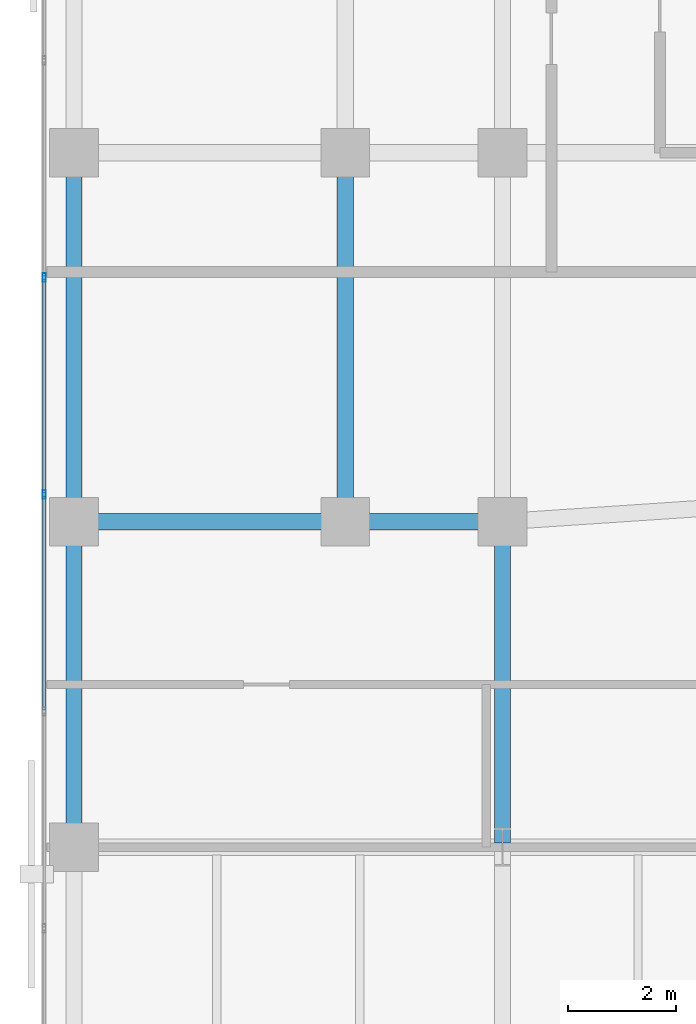
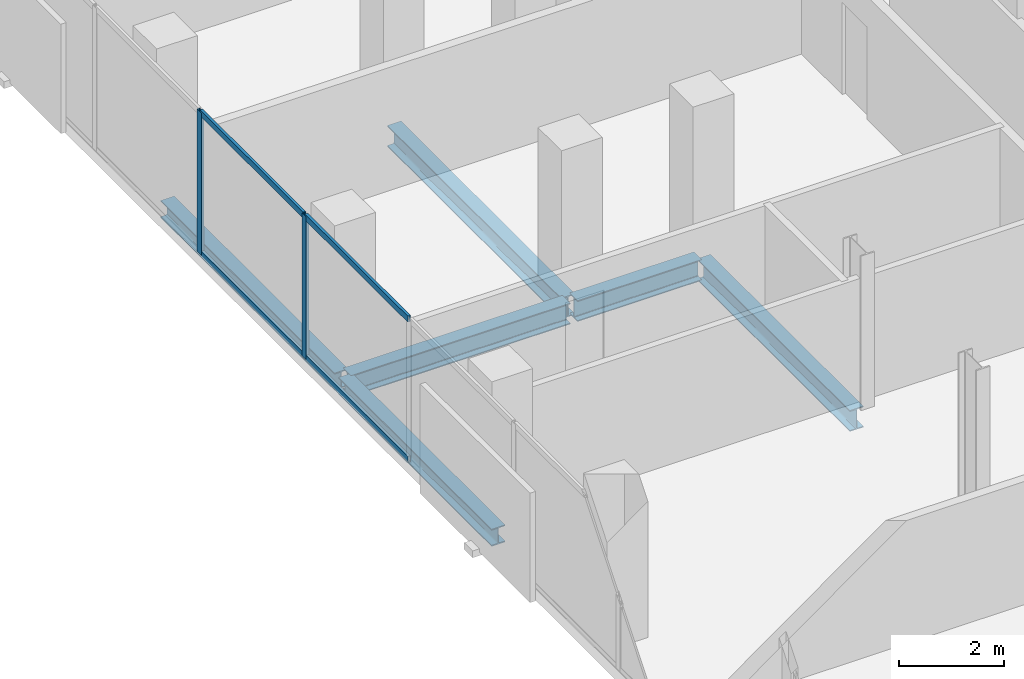
# One storey, part 9 of 33: 6 beams, 6 members, 1 element without a shape of its own.
"""IFC4 building model written with IfcOpenShell, lengths in metres."""

from ifc_helpers import new_model, si_unit, direction, frame, origin, origin_2d, place, context, subcontext, project, spatial, hollow_rectangle, i_section, extrude, material, layer, layer_set, material_profile, profile_set, type_object, element, aggregate, save


model = new_model("IFC4")

# Units and contexts
model_context = context("Model", 3, precision=1e-05, world=origin(), true_north=direction((0.0, 1.0)))
body_context = subcontext(model_context, "Body", "Model", "MODEL_VIEW")
ifc_project = project(units=[si_unit("LENGTHUNIT", "METRE"), si_unit("AREAUNIT", "SQUARE_METRE"), si_unit("VOLUMEUNIT", "CUBIC_METRE"), si_unit("PLANEANGLEUNIT", "RADIAN"), si_unit("MASSUNIT", "GRAM", prefix="KILO")], contexts=[model_context])

# Site, building, storey
site_placement = place(None, origin())
site = spatial("IfcSite", under=ifc_project, at=site_placement, CompositionType="ELEMENT")
building_placement = place(site_placement, origin())
building = spatial("IfcBuilding", under=site, at=building_placement, Name="Catumbela Crestline Tower", CompositionType="ELEMENT")
storey_placement = place(building_placement, frame((0.0, 0.0, 100.8)))
storey = spatial("IfcBuildingStorey", under=building, at=storey_placement, Name="L25", CompositionType="ELEMENT", Elevation=100.8)

# Beams
ifc_material_1 = material(Name="Structural steel S355J2", Category="steel")
ifc_material_profile_1 = material_profile(ifc_material_1, i_section(OverallWidth=0.3, OverallDepth=0.49, WebThickness=0.012, FlangeThickness=0.023, FilletRadius=0.027, at=origin_2d()), Name="HEA 500")
ifc_profile_set_1 = profile_set([ifc_material_profile_1], Name="Structural steel S355J2")
beam_type_1 = type_object("IfcBeamType", Name="BG-HEA500", PredefinedType="BEAM", material=ifc_profile_set_1)
beam_1_placement = place(storey_placement, frame((0.68, 24.0, -0.505), z_axis=(1.0, 0.0, 0.0), x_axis=(0.0, 1.0, 0.0)))
element("IfcBeam", 1, at=beam_1_placement, inside=storey, type_object=beam_type_1, Name="L25 Beam BM-L25-S01", PredefinedType="BEAM", context=body_context, shape_type="SweptSolid", body=[
    extrude(i_section(OverallWidth=0.3, OverallDepth=0.49, WebThickness=0.012, FlangeThickness=0.023, FilletRadius=0.027, at=origin_2d()), origin(), (0.0, 0.0, 1.0), 4.84),
])
beam_2_placement = place(storey_placement, frame((5.68, 24.0, -0.505), z_axis=(1.0, 0.0, 0.0), x_axis=(0.0, 1.0, 0.0)))
element("IfcBeam", 2, at=beam_2_placement, inside=storey, type_object=beam_type_1, Name="L25 Beam BM-L25-S02", PredefinedType="BEAM", context=body_context, shape_type="SweptSolid", body=[
    extrude(i_section(OverallWidth=0.3, OverallDepth=0.49, WebThickness=0.012, FlangeThickness=0.023, FilletRadius=0.027, at=origin_2d()), origin(), (0.0, 0.0, 1.0), 2.74),
])
beam_3_placement = place(storey_placement, frame((5.6, 24.08, -0.505), z_axis=(0.0, 1.0, 0.0), x_axis=(-1.0, 0.0, 0.0)))
element("IfcBeam", 3, at=beam_3_placement, inside=storey, type_object=beam_type_1, Name="L25 Beam BM-L25-SN24", PredefinedType="BEAM", context=body_context, shape_type="SweptSolid", body=[
    extrude(i_section(OverallWidth=0.3, OverallDepth=0.49, WebThickness=0.012, FlangeThickness=0.023, FilletRadius=0.027, at=origin_2d()), origin(), (0.0, 0.0, 1.0), 6.64),
])
beam_4_placement = place(storey_placement, frame((8.5, 18.08, -0.505), z_axis=(0.0, 1.0, 0.0), x_axis=(-1.0, 0.0, 0.0)))
element("IfcBeam", 4, at=beam_4_placement, inside=storey, type_object=beam_type_1, Name="L25 Beam BM-L25-WNS57", PredefinedType="BEAM", context=body_context, shape_type="SweptSolid", body=[
    extrude(i_section(OverallWidth=0.3, OverallDepth=0.49, WebThickness=0.012, FlangeThickness=0.023, FilletRadius=0.027, at=origin_2d()), origin(), (0.0, 0.0, 1.0), 5.84),
])

# Curtain wall, members
ifc_material_2 = material(Name="Aluminium alloy AW-6060-T66", Category="aluminium")
ifc_layer = layer(ifc_material_2, 0.18, Name="Aluminium alloy AW-6060-T66")
ifc_layer_set = layer_set([ifc_layer], Name="Aluminium alloy AW-6060-T66")
curtain_wall_type = type_object("IfcCurtainWallType", Name="CWU-Z2", PredefinedType="USERDEFINED", material=ifc_layer_set)
curtain_wall_placement = place(storey_placement, origin())
curtain_wall = element("IfcCurtainWall", 5, at=curtain_wall_placement, inside=storey, type_object=curtain_wall_type, Name="L25 Unitised Curtain Wall CW-L25-E9S1", ObjectType="UNITISED", PredefinedType="USERDEFINED")
ifc_material_profile_2 = material_profile(ifc_material_2, hollow_rectangle(XDim=0.06, YDim=0.16, WallThickness=0.004, at=origin_2d()), Name="ALU 160x60x4")
ifc_profile_set_2 = profile_set([ifc_material_profile_2], Name="Aluminium alloy AW-6060-T66")
member_type_1 = type_object("IfcMemberType", Name="MUL-160X60", PredefinedType="MULLION", material=ifc_profile_set_2)
member_1_placement = place(storey_placement, frame((0.05, 28.5, 0.0), z_axis=(0.0, 0.0, 1.0), x_axis=(1.0, 0.0, 0.0)))
member_1 = element("IfcMember", 6, at=member_1_placement, type_object=member_type_1, Name="CWU-Z2 mullion 5", PredefinedType="MULLION", context=body_context, shape_type="SweptSolid", body=[
    extrude(hollow_rectangle(XDim=0.06, YDim=0.16, WallThickness=0.004, at=origin_2d()), origin(), (0.0, 0.0, 1.0), 3.33),
])
member_2_placement = place(storey_placement, frame((0.05, 24.5, 0.0), z_axis=(0.0, 0.0, 1.0), x_axis=(1.0, 0.0, 0.0)))
member_2 = element("IfcMember", 7, at=member_2_placement, type_object=member_type_1, Name="CWU-Z2 mullion 6", PredefinedType="MULLION", context=body_context, shape_type="SweptSolid", body=[
    extrude(hollow_rectangle(XDim=0.06, YDim=0.16, WallThickness=0.004, at=origin_2d()), origin(), (0.0, 0.0, 1.0), 3.33),
])

# Beams
ifc_material_profile_3 = material_profile(ifc_material_1, i_section(OverallWidth=0.3, OverallDepth=0.4, WebThickness=0.0135, FlangeThickness=0.024, FilletRadius=0.027, at=origin_2d()), Name="HEB 400")
ifc_profile_set_3 = profile_set([ifc_material_profile_3], Name="Structural steel S355J2")
beam_type_2 = type_object("IfcBeamType", Name="BS-HEB400", PredefinedType="SPANDREL", material=ifc_profile_set_3)
beam_5_placement = place(storey_placement, frame((0.6, 24.08, -0.46), z_axis=(0.0, 1.0, 0.0), x_axis=(-1.0, 0.0, 0.0)))
element("IfcBeam", 8, at=beam_5_placement, inside=storey, type_object=beam_type_2, Name="L25 Spandrel SP-L25-SN22", PredefinedType="SPANDREL", context=body_context, shape_type="SweptSolid", body=[
    extrude(i_section(OverallWidth=0.3, OverallDepth=0.4, WebThickness=0.0135, FlangeThickness=0.024, FilletRadius=0.027, at=origin_2d()), origin(), (0.0, 0.0, 1.0), 6.64),
])
beam_6_placement = place(storey_placement, frame((0.6, 18.08, -0.46), z_axis=(0.0, 1.0, 0.0), x_axis=(-1.0, 0.0, 0.0)))
element("IfcBeam", 9, at=beam_6_placement, inside=storey, type_object=beam_type_2, Name="L25 Spandrel SP-L25-WNS54", PredefinedType="SPANDREL", context=body_context, shape_type="SweptSolid", body=[
    extrude(i_section(OverallWidth=0.3, OverallDepth=0.4, WebThickness=0.0135, FlangeThickness=0.024, FilletRadius=0.027, at=origin_2d()), origin(), (0.0, 0.0, 1.0), 5.84),
])

# Member
ifc_material_profile_4 = material_profile(ifc_material_2, hollow_rectangle(XDim=0.06, YDim=0.14, WallThickness=0.004, at=origin_2d()), Name="ALU 140x60x4")
ifc_profile_set_4 = profile_set([ifc_material_profile_4], Name="Aluminium alloy AW-6060-T66")
member_type_2 = type_object("IfcMemberType", Name="TRN-140X60", PredefinedType="USERDEFINED", material=ifc_profile_set_4)
member_3_placement = place(storey_placement, frame((0.05, 28.4675, 0.03), z_axis=(0.0, -1.0, 0.0), x_axis=(1.0, 0.0, 0.0)))
member_3 = element("IfcMember", 10, at=member_3_placement, type_object=member_type_2, Name="CWU-Z2 transom 5.1", ObjectType="TRANSOM", PredefinedType="USERDEFINED", context=body_context, shape_type="SweptSolid", body=[
    extrude(hollow_rectangle(XDim=0.06, YDim=0.14, WallThickness=0.004, at=origin_2d()), origin(), (0.0, 0.0, 1.0), 3.935),
])

member_4_placement = place(storey_placement, frame((0.05, 28.4675, 3.3), z_axis=(0.0, -1.0, 0.0), x_axis=(1.0, 0.0, 0.0)))
member_4 = element("IfcMember", 11, at=member_4_placement, type_object=member_type_2, Name="CWU-Z2 transom 5.2", ObjectType="TRANSOM", PredefinedType="USERDEFINED", context=body_context, shape_type="SweptSolid", body=[
    extrude(hollow_rectangle(XDim=0.06, YDim=0.14, WallThickness=0.004, at=origin_2d()), origin(), (0.0, 0.0, 1.0), 3.935),
])

member_5_placement = place(storey_placement, frame((0.05, 24.4675, 0.03), z_axis=(0.0, -1.0, 0.0), x_axis=(1.0, 0.0, 0.0)))
member_5 = element("IfcMember", 12, at=member_5_placement, type_object=member_type_2, Name="CWU-Z2 transom 6.1", ObjectType="TRANSOM", PredefinedType="USERDEFINED", context=body_context, shape_type="SweptSolid", body=[
    extrude(hollow_rectangle(XDim=0.06, YDim=0.14, WallThickness=0.004, at=origin_2d()), origin(), (0.0, 0.0, 1.0), 3.935),
])

member_6_placement = place(storey_placement, frame((0.05, 24.4675, 3.3), z_axis=(0.0, -1.0, 0.0), x_axis=(1.0, 0.0, 0.0)))
member_6 = element("IfcMember", 13, at=member_6_placement, type_object=member_type_2, Name="CWU-Z2 transom 6.2", ObjectType="TRANSOM", PredefinedType="USERDEFINED", context=body_context, shape_type="SweptSolid", body=[
    extrude(hollow_rectangle(XDim=0.06, YDim=0.14, WallThickness=0.004, at=origin_2d()), origin(), (0.0, 0.0, 1.0), 3.935),
])

aggregate(curtain_wall, [member_1, member_2, member_3, member_4, member_5, member_6])

save(model, "model.ifc")
